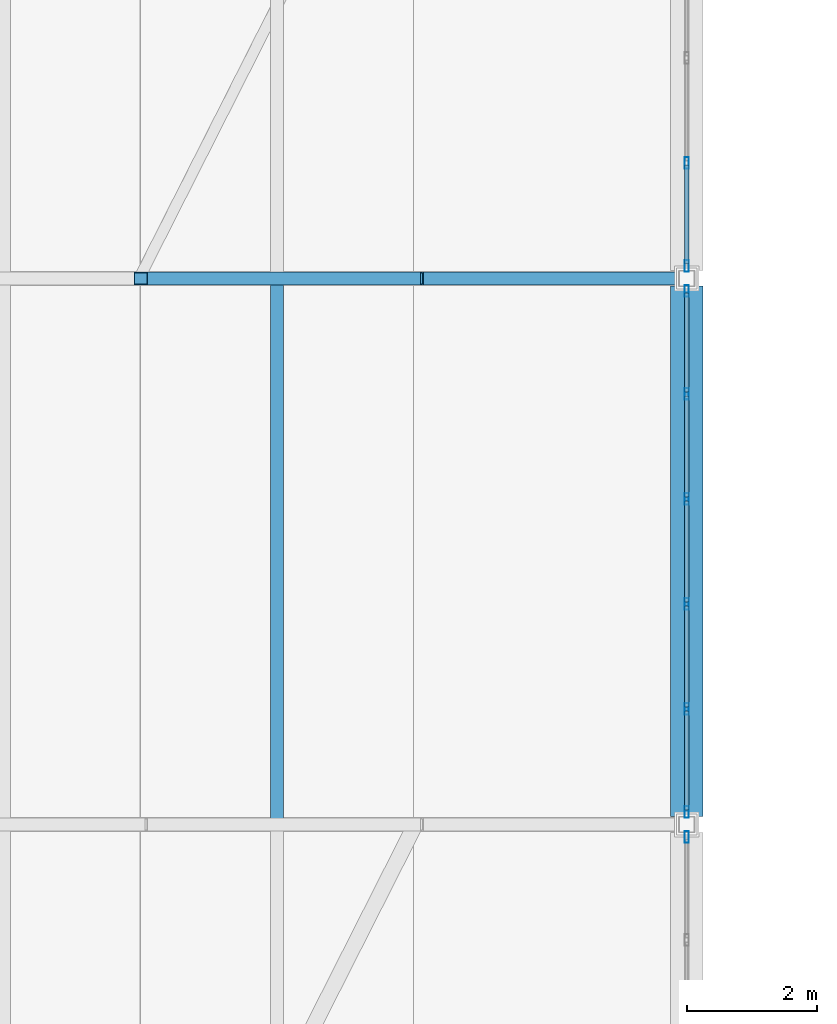
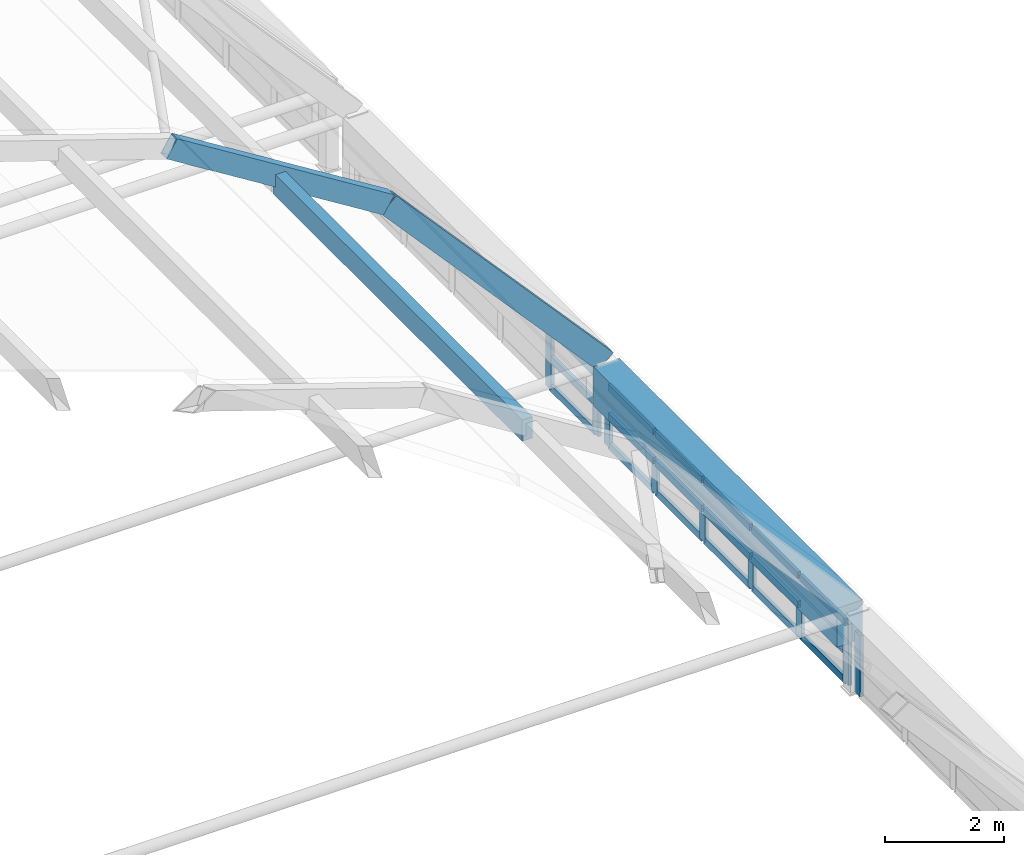
# One storey, part 35 of 114: 28 members, 3 beams, 3 elements without a shape of their own.
"""IFC4 building model written with IfcOpenShell, lengths in metres."""

from ifc_helpers import new_model, si_unit, direction, frame, origin, origin_2d, place, context, subcontext, project, spatial, rectangle, hollow_rectangle, extrude, material, layer, layer_set, material_profile, profile_set, type_object, element, aggregate, save


model = new_model("IFC4")

# Units and contexts
model_context = context("Model", 3, precision=1e-05, world=origin(), true_north=direction((0.0, 1.0)))
body_context = subcontext(model_context, "Body", "Model", "MODEL_VIEW")
ifc_project = project(units=[si_unit("LENGTHUNIT", "METRE"), si_unit("AREAUNIT", "SQUARE_METRE"), si_unit("VOLUMEUNIT", "CUBIC_METRE"), si_unit("PLANEANGLEUNIT", "RADIAN"), si_unit("MASSUNIT", "GRAM", prefix="KILO")], contexts=[model_context])

# Site, building, storey
site_placement = place(None, origin())
site = spatial("IfcSite", under=ifc_project, at=site_placement, CompositionType="ELEMENT")
building_placement = place(site_placement, origin())
building = spatial("IfcBuilding", under=site, at=building_placement, Name="Xazarin Passage Department Store", CompositionType="ELEMENT")
storey_placement = place(building_placement, frame((0.0, 0.0, 14.39990234375)))
storey = spatial("IfcBuildingStorey", under=building, at=storey_placement, Name="L03", CompositionType="ELEMENT", Elevation=14.39990234375)

# Curtain wall, member
ifc_material_1 = material(Name="Bronze anodised aluminium", Category="aluminium")
ifc_layer = layer(ifc_material_1, 0.159912109375)
ifc_layer_set = layer_set([ifc_layer], Name="Bronze anodised aluminium")
curtain_wall_type = type_object("IfcCurtainWallType", Name="ARC-CW-ARC1", PredefinedType="NOTDEFINED", material=ifc_layer_set)
curtain_wall_1_placement = place(storey_placement, origin())
curtain_wall_1 = element("IfcCurtainWall", 1, at=curtain_wall_1_placement, inside=storey, type_object=curtain_wall_type, Name="L03 V2S Galleria Clerestory Curtain Wall 4E", PredefinedType="NOTDEFINED")
ifc_material_profile_1 = material_profile(ifc_material_1, hollow_rectangle(XDim=0.06494140625, YDim=0.179931640625, WallThickness=0.00390625, at=origin_2d()), Name="ALU 65x180")
ifc_profile_set_1 = profile_set([ifc_material_profile_1], Name="Bronze anodised aluminium")
member_type_1 = type_object("IfcMemberType", Name="ARC-CWM-65x180", PredefinedType="MULLION", material=ifc_profile_set_1)
member_1_placement = place(storey_placement, frame((101.60009765625, 33.407470703125, 0.0), z_axis=(0.0, 0.0, 1.0), x_axis=(-1.0, 0.0, 0.0)))
member_1 = element("IfcMember", 2, at=member_1_placement, type_object=member_type_1, Name="CW3 mullion 6", PredefinedType="MULLION", context=body_context, shape_type="SweptSolid", body=[
    extrude(hollow_rectangle(XDim=0.06494140625, YDim=0.179931640625, WallThickness=0.00390625, at=origin_2d()), origin(), (0.0, 0.0, 1.0), 1.251708984375),
])
aggregate(curtain_wall_1, [member_1])

# Curtain wall, members
curtain_wall_2_placement = place(storey_placement, origin())
curtain_wall_2 = element("IfcCurtainWall", 3, at=curtain_wall_2_placement, inside=storey, type_object=curtain_wall_type, Name="L03 V2S Galleria Clerestory Curtain Wall 5E", PredefinedType="NOTDEFINED")
member_2_placement = place(storey_placement, frame((101.60009765625, 33.79248046875, 0.0), z_axis=(0.0, 0.0, 1.0), x_axis=(-1.0, 0.0, 0.0)))
member_2 = element("IfcMember", 4, at=member_2_placement, type_object=member_type_1, Name="CW3 mullion 1", PredefinedType="MULLION", context=body_context, shape_type="SweptSolid", body=[
    extrude(hollow_rectangle(XDim=0.06494140625, YDim=0.179931640625, WallThickness=0.00390625, at=origin_2d()), origin(), (0.0, 0.0, 1.0), 1.251708984375),
])
member_3_placement = place(storey_placement, frame((101.60009765625, 35.3759765625, 0.0), z_axis=(0.0, 0.0, 1.0), x_axis=(-1.0, 0.0, 0.0)))
member_3 = element("IfcMember", 5, at=member_3_placement, type_object=member_type_1, Name="CW3 mullion 2", PredefinedType="MULLION", context=body_context, shape_type="SweptSolid", body=[
    extrude(hollow_rectangle(XDim=0.06494140625, YDim=0.179931640625, WallThickness=0.00390625, at=origin_2d()), origin(), (0.0, 0.0, 1.0), 1.251708984375),
])
member_4_placement = place(storey_placement, frame((101.60009765625, 36.991943359375, 0.0), z_axis=(0.0, 0.0, 1.0), x_axis=(-1.0, 0.0, 0.0)))
member_4 = element("IfcMember", 6, at=member_4_placement, type_object=member_type_1, Name="CW3 mullion 3", PredefinedType="MULLION", context=body_context, shape_type="SweptSolid", body=[
    extrude(hollow_rectangle(XDim=0.06494140625, YDim=0.179931640625, WallThickness=0.00390625, at=origin_2d()), origin(), (0.0, 0.0, 1.0), 1.251708984375),
])
member_5_placement = place(storey_placement, frame((101.60009765625, 38.60791015625, 0.0), z_axis=(0.0, 0.0, 1.0), x_axis=(-1.0, 0.0, 0.0)))
member_5 = element("IfcMember", 7, at=member_5_placement, type_object=member_type_1, Name="CW3 mullion 4", PredefinedType="MULLION", context=body_context, shape_type="SweptSolid", body=[
    extrude(hollow_rectangle(XDim=0.06494140625, YDim=0.179931640625, WallThickness=0.00390625, at=origin_2d()), origin(), (0.0, 0.0, 1.0), 1.251708984375),
])
member_6_placement = place(storey_placement, frame((101.60009765625, 40.22412109375, 0.0), z_axis=(0.0, 0.0, 1.0), x_axis=(-1.0, 0.0, 0.0)))
member_6 = element("IfcMember", 8, at=member_6_placement, type_object=member_type_1, Name="CW3 mullion 5", PredefinedType="MULLION", context=body_context, shape_type="SweptSolid", body=[
    extrude(hollow_rectangle(XDim=0.06494140625, YDim=0.179931640625, WallThickness=0.00390625, at=origin_2d()), origin(), (0.0, 0.0, 1.0), 1.251708984375),
])
member_7_placement = place(storey_placement, frame((101.60009765625, 41.8076171875, 0.0), z_axis=(0.0, 0.0, 1.0), x_axis=(-1.0, 0.0, 0.0)))
member_7 = element("IfcMember", 9, at=member_7_placement, type_object=member_type_1, Name="CW3 mullion 6", PredefinedType="MULLION", context=body_context, shape_type="SweptSolid", body=[
    extrude(hollow_rectangle(XDim=0.06494140625, YDim=0.179931640625, WallThickness=0.00390625, at=origin_2d()), origin(), (0.0, 0.0, 1.0), 1.251708984375),
])

curtain_wall_3_placement = place(storey_placement, origin())
curtain_wall_3 = element("IfcCurtainWall", 10, at=curtain_wall_3_placement, inside=storey, type_object=curtain_wall_type, Name="L03 V2S Galleria Clerestory Curtain Wall 6E", PredefinedType="NOTDEFINED")
member_8_placement = place(storey_placement, frame((101.60009765625, 42.1923828125, 0.0), z_axis=(0.0, 0.0, 1.0), x_axis=(-1.0, 0.0, 0.0)))
member_8 = element("IfcMember", 11, at=member_8_placement, type_object=member_type_1, Name="CW3 mullion 1", PredefinedType="MULLION", context=body_context, shape_type="SweptSolid", body=[
    extrude(hollow_rectangle(XDim=0.06494140625, YDim=0.179931640625, WallThickness=0.00390625, at=origin_2d()), origin(), (0.0, 0.0, 1.0), 1.251708984375),
])
member_9_placement = place(storey_placement, frame((101.60009765625, 43.77587890625, 0.0), z_axis=(0.0, 0.0, 1.0), x_axis=(-1.0, 0.0, 0.0)))
member_9 = element("IfcMember", 12, at=member_9_placement, type_object=member_type_1, Name="CW3 mullion 2", PredefinedType="MULLION", context=body_context, shape_type="SweptSolid", body=[
    extrude(hollow_rectangle(XDim=0.06494140625, YDim=0.179931640625, WallThickness=0.00390625, at=origin_2d()), origin(), (0.0, 0.0, 1.0), 1.251708984375),
])

# Member
ifc_material_profile_2 = material_profile(ifc_material_1, hollow_rectangle(XDim=0.06494140625, YDim=0.139892578125, WallThickness=0.00390625, at=origin_2d()), Name="ALU 65x140")
ifc_profile_set_2 = profile_set([ifc_material_profile_2], Name="Bronze anodised aluminium")
member_type_2 = type_object("IfcMemberType", Name="ARC-CWT-65x140", PredefinedType="USERDEFINED", material=ifc_profile_set_2)
member_10_placement = place(storey_placement, frame((101.60009765625, 33.824951171875, 0.03271484375), z_axis=(0.0, 1.0, 0.0), x_axis=(-1.0, 0.0, 0.0)))
member_10 = element("IfcMember", 13, at=member_10_placement, type_object=member_type_2, Name="CW3 transom 1.1", ObjectType="TRANSOM", PredefinedType="USERDEFINED", context=body_context, shape_type="SweptSolid", body=[
    extrude(hollow_rectangle(XDim=0.06494140625, YDim=0.139892578125, WallThickness=0.00390625, at=origin_2d()), origin(), (0.0, 0.0, 1.0), 1.5185546875),
])

member_11_placement = place(storey_placement, frame((101.60009765625, 33.824951171875, 0.6259765625), z_axis=(0.0, 1.0, 0.0), x_axis=(-1.0, 0.0, 0.0)))
member_11 = element("IfcMember", 14, at=member_11_placement, type_object=member_type_2, Name="CW3 transom 1.2", ObjectType="TRANSOM", PredefinedType="USERDEFINED", context=body_context, shape_type="SweptSolid", body=[
    extrude(hollow_rectangle(XDim=0.06494140625, YDim=0.139892578125, WallThickness=0.00390625, at=origin_2d()), origin(), (0.0, 0.0, 1.0), 1.5185546875),
])

member_12_placement = place(storey_placement, frame((101.60009765625, 33.824951171875, 1.21923828125), z_axis=(0.0, 1.0, 0.0), x_axis=(-1.0, 0.0, 0.0)))
member_12 = element("IfcMember", 15, at=member_12_placement, type_object=member_type_2, Name="CW3 transom 1.3", ObjectType="TRANSOM", PredefinedType="USERDEFINED", context=body_context, shape_type="SweptSolid", body=[
    extrude(hollow_rectangle(XDim=0.06494140625, YDim=0.139892578125, WallThickness=0.00390625, at=origin_2d()), origin(), (0.0, 0.0, 1.0), 1.5185546875),
])

member_13_placement = place(storey_placement, frame((101.60009765625, 35.408447265625, 0.03271484375), z_axis=(0.0, 1.0, 0.0), x_axis=(-1.0, 0.0, 0.0)))
member_13 = element("IfcMember", 16, at=member_13_placement, type_object=member_type_2, Name="CW3 transom 2.1", ObjectType="TRANSOM", PredefinedType="USERDEFINED", context=body_context, shape_type="SweptSolid", body=[
    extrude(hollow_rectangle(XDim=0.06494140625, YDim=0.139892578125, WallThickness=0.00390625, at=origin_2d()), origin(), (0.0, 0.0, 1.0), 1.551025390625),
])

member_14_placement = place(storey_placement, frame((101.60009765625, 35.408447265625, 0.6259765625), z_axis=(0.0, 1.0, 0.0), x_axis=(-1.0, 0.0, 0.0)))
member_14 = element("IfcMember", 17, at=member_14_placement, type_object=member_type_2, Name="CW3 transom 2.2", ObjectType="TRANSOM", PredefinedType="USERDEFINED", context=body_context, shape_type="SweptSolid", body=[
    extrude(hollow_rectangle(XDim=0.06494140625, YDim=0.139892578125, WallThickness=0.00390625, at=origin_2d()), origin(), (0.0, 0.0, 1.0), 1.551025390625),
])

member_15_placement = place(storey_placement, frame((101.60009765625, 35.408447265625, 1.21923828125), z_axis=(0.0, 1.0, 0.0), x_axis=(-1.0, 0.0, 0.0)))
member_15 = element("IfcMember", 18, at=member_15_placement, type_object=member_type_2, Name="CW3 transom 2.3", ObjectType="TRANSOM", PredefinedType="USERDEFINED", context=body_context, shape_type="SweptSolid", body=[
    extrude(hollow_rectangle(XDim=0.06494140625, YDim=0.139892578125, WallThickness=0.00390625, at=origin_2d()), origin(), (0.0, 0.0, 1.0), 1.551025390625),
])

member_16_placement = place(storey_placement, frame((101.60009765625, 37.0244140625, 0.03271484375), z_axis=(0.0, 1.0, 0.0), x_axis=(-1.0, 0.0, 0.0)))
member_16 = element("IfcMember", 19, at=member_16_placement, type_object=member_type_2, Name="CW3 transom 3.1", ObjectType="TRANSOM", PredefinedType="USERDEFINED", context=body_context, shape_type="SweptSolid", body=[
    extrude(hollow_rectangle(XDim=0.06494140625, YDim=0.139892578125, WallThickness=0.00390625, at=origin_2d()), origin(), (0.0, 0.0, 1.0), 1.551025390625),
])

member_17_placement = place(storey_placement, frame((101.60009765625, 37.0244140625, 0.6259765625), z_axis=(0.0, 1.0, 0.0), x_axis=(-1.0, 0.0, 0.0)))
member_17 = element("IfcMember", 20, at=member_17_placement, type_object=member_type_2, Name="CW3 transom 3.2", ObjectType="TRANSOM", PredefinedType="USERDEFINED", context=body_context, shape_type="SweptSolid", body=[
    extrude(hollow_rectangle(XDim=0.06494140625, YDim=0.139892578125, WallThickness=0.00390625, at=origin_2d()), origin(), (0.0, 0.0, 1.0), 1.551025390625),
])

member_18_placement = place(storey_placement, frame((101.60009765625, 37.0244140625, 1.21923828125), z_axis=(0.0, 1.0, 0.0), x_axis=(-1.0, 0.0, 0.0)))
member_18 = element("IfcMember", 21, at=member_18_placement, type_object=member_type_2, Name="CW3 transom 3.3", ObjectType="TRANSOM", PredefinedType="USERDEFINED", context=body_context, shape_type="SweptSolid", body=[
    extrude(hollow_rectangle(XDim=0.06494140625, YDim=0.139892578125, WallThickness=0.00390625, at=origin_2d()), origin(), (0.0, 0.0, 1.0), 1.551025390625),
])

member_19_placement = place(storey_placement, frame((101.60009765625, 38.640380859375, 0.03271484375), z_axis=(0.0, 1.0, 0.0), x_axis=(-1.0, 0.0, 0.0)))
member_19 = element("IfcMember", 22, at=member_19_placement, type_object=member_type_2, Name="CW3 transom 4.1", ObjectType="TRANSOM", PredefinedType="USERDEFINED", context=body_context, shape_type="SweptSolid", body=[
    extrude(hollow_rectangle(XDim=0.06494140625, YDim=0.139892578125, WallThickness=0.00390625, at=origin_2d()), origin(), (0.0, 0.0, 1.0), 1.551025390625),
])

member_20_placement = place(storey_placement, frame((101.60009765625, 38.640380859375, 0.6259765625), z_axis=(0.0, 1.0, 0.0), x_axis=(-1.0, 0.0, 0.0)))
member_20 = element("IfcMember", 23, at=member_20_placement, type_object=member_type_2, Name="CW3 transom 4.2", ObjectType="TRANSOM", PredefinedType="USERDEFINED", context=body_context, shape_type="SweptSolid", body=[
    extrude(hollow_rectangle(XDim=0.06494140625, YDim=0.139892578125, WallThickness=0.00390625, at=origin_2d()), origin(), (0.0, 0.0, 1.0), 1.551025390625),
])

member_21_placement = place(storey_placement, frame((101.60009765625, 38.640380859375, 1.21923828125), z_axis=(0.0, 1.0, 0.0), x_axis=(-1.0, 0.0, 0.0)))
member_21 = element("IfcMember", 24, at=member_21_placement, type_object=member_type_2, Name="CW3 transom 4.3", ObjectType="TRANSOM", PredefinedType="USERDEFINED", context=body_context, shape_type="SweptSolid", body=[
    extrude(hollow_rectangle(XDim=0.06494140625, YDim=0.139892578125, WallThickness=0.00390625, at=origin_2d()), origin(), (0.0, 0.0, 1.0), 1.551025390625),
])

member_22_placement = place(storey_placement, frame((101.60009765625, 40.256591796875, 0.03271484375), z_axis=(0.0, 1.0, 0.0), x_axis=(-1.0, 0.0, 0.0)))
member_22 = element("IfcMember", 25, at=member_22_placement, type_object=member_type_2, Name="CW3 transom 5.1", ObjectType="TRANSOM", PredefinedType="USERDEFINED", context=body_context, shape_type="SweptSolid", body=[
    extrude(hollow_rectangle(XDim=0.06494140625, YDim=0.139892578125, WallThickness=0.00390625, at=origin_2d()), origin(), (0.0, 0.0, 1.0), 1.518310546875),
])

member_23_placement = place(storey_placement, frame((101.60009765625, 40.256591796875, 0.6259765625), z_axis=(0.0, 1.0, 0.0), x_axis=(-1.0, 0.0, 0.0)))
member_23 = element("IfcMember", 26, at=member_23_placement, type_object=member_type_2, Name="CW3 transom 5.2", ObjectType="TRANSOM", PredefinedType="USERDEFINED", context=body_context, shape_type="SweptSolid", body=[
    extrude(hollow_rectangle(XDim=0.06494140625, YDim=0.139892578125, WallThickness=0.00390625, at=origin_2d()), origin(), (0.0, 0.0, 1.0), 1.518310546875),
])

member_24_placement = place(storey_placement, frame((101.60009765625, 40.256591796875, 1.21923828125), z_axis=(0.0, 1.0, 0.0), x_axis=(-1.0, 0.0, 0.0)))
member_24 = element("IfcMember", 27, at=member_24_placement, type_object=member_type_2, Name="CW3 transom 5.3", ObjectType="TRANSOM", PredefinedType="USERDEFINED", context=body_context, shape_type="SweptSolid", body=[
    extrude(hollow_rectangle(XDim=0.06494140625, YDim=0.139892578125, WallThickness=0.00390625, at=origin_2d()), origin(), (0.0, 0.0, 1.0), 1.518310546875),
])

aggregate(curtain_wall_2, [member_2, member_3, member_4, member_5, member_6, member_7, member_10, member_11, member_12, member_13, member_14, member_15, member_16, member_17, member_18, member_19, member_20, member_21, member_22, member_23, member_24])

member_25_placement = place(storey_placement, frame((101.60009765625, 42.22509765625, 0.03271484375), z_axis=(0.0, 1.0, 0.0), x_axis=(-1.0, 0.0, 0.0)))
member_25 = element("IfcMember", 28, at=member_25_placement, type_object=member_type_2, Name="CW3 transom 1.1", ObjectType="TRANSOM", PredefinedType="USERDEFINED", context=body_context, shape_type="SweptSolid", body=[
    extrude(hollow_rectangle(XDim=0.06494140625, YDim=0.139892578125, WallThickness=0.00390625, at=origin_2d()), origin(), (0.0, 0.0, 1.0), 1.518310546875),
])

member_26_placement = place(storey_placement, frame((101.60009765625, 42.22509765625, 0.6259765625), z_axis=(0.0, 1.0, 0.0), x_axis=(-1.0, 0.0, 0.0)))
member_26 = element("IfcMember", 29, at=member_26_placement, type_object=member_type_2, Name="CW3 transom 1.2", ObjectType="TRANSOM", PredefinedType="USERDEFINED", context=body_context, shape_type="SweptSolid", body=[
    extrude(hollow_rectangle(XDim=0.06494140625, YDim=0.139892578125, WallThickness=0.00390625, at=origin_2d()), origin(), (0.0, 0.0, 1.0), 1.518310546875),
])

member_27_placement = place(storey_placement, frame((101.60009765625, 42.22509765625, 1.21923828125), z_axis=(0.0, 1.0, 0.0), x_axis=(-1.0, 0.0, 0.0)))
member_27 = element("IfcMember", 30, at=member_27_placement, type_object=member_type_2, Name="CW3 transom 1.3", ObjectType="TRANSOM", PredefinedType="USERDEFINED", context=body_context, shape_type="SweptSolid", body=[
    extrude(hollow_rectangle(XDim=0.06494140625, YDim=0.139892578125, WallThickness=0.00390625, at=origin_2d()), origin(), (0.0, 0.0, 1.0), 1.518310546875),
])

aggregate(curtain_wall_3, [member_8, member_9, member_25, member_26, member_27])

# Beams
ifc_material_2 = material(Name="Steel S355", Category="steel")
ifc_material_profile_3 = material_profile(ifc_material_2, hollow_rectangle(XDim=0.199951171875, YDim=0.39990234375, WallThickness=0.01611328125, at=origin_2d()), Name="RHS 400x200x16")
ifc_profile_set_3 = profile_set([ifc_material_profile_3], Name="Steel S355")
beam_type_1 = type_object("IfcBeamType", Name="STR-BM-AR400", PredefinedType="BEAM", material=ifc_profile_set_3)
beam_1_placement = place(storey_placement, frame((93.199951171875, 42.0, 8.95068359375), z_axis=(0.848571440894, 0.0, -0.529080815848), x_axis=(0.0, 1.0, 0.0)))
element("IfcBeam", 31, at=beam_1_placement, inside=storey, type_object=beam_type_1, Name="V2S Primary Arch Rib 6.7", PredefinedType="BEAM", context=body_context, shape_type="SweptSolid", body=[
    extrude(hollow_rectangle(XDim=0.199951171875, YDim=0.39990234375, WallThickness=0.01611328125, at=origin_2d()), origin(), (0.0, 0.0, 1.0), 4.949462890625),
])
beam_2_placement = place(storey_placement, frame((97.39990234375, 42.0, 6.33203125), z_axis=(0.667913050078, 0.0, -0.744239314694), x_axis=(0.0, 1.0, 0.0)))
element("IfcBeam", 32, at=beam_2_placement, inside=storey, type_object=beam_type_1, Name="V2S Primary Arch Rib 6.8", PredefinedType="BEAM", context=body_context, shape_type="SweptSolid", body=[
    extrude(hollow_rectangle(XDim=0.199951171875, YDim=0.39990234375, WallThickness=0.01611328125, at=origin_2d()), origin(), (0.0, 0.0, 1.0), 6.28857421875),
])
ifc_material_3 = material(Name="Concrete C40/50", Category="concrete")
ifc_material_profile_4 = material_profile(ifc_material_3, rectangle(XDim=0.5, YDim=0.800048828125, at=origin_2d()), Name="RC 500x800")
ifc_profile_set_4 = profile_set([ifc_material_profile_4], Name="Concrete C40/50")
beam_type_2 = type_object("IfcBeamType", Name="STR-BM-RG500x800", PredefinedType="BEAM", material=ifc_profile_set_4)
beam_3_placement = place(storey_placement, frame((101.60009765625, 33.719970703125, 1.251708984375), z_axis=(0.0, 1.0, 0.0), x_axis=(-1.0, 0.0, 0.0)))
element("IfcBeam", 33, at=beam_3_placement, inside=storey, type_object=beam_type_2, Name="V2S Springing Ring Girder E-5", PredefinedType="BEAM", context=body_context, shape_type="SweptSolid", body=[
    extrude(rectangle(XDim=0.5, YDim=0.800048828125, at=origin_2d()), origin(), (0.0, 0.0, 1.0), 8.159912109375),
])

# Member
ifc_material_4 = material(Name="Glulam GL28h", Category="wood")
ifc_material_profile_5 = material_profile(ifc_material_4, rectangle(XDim=0.199951171875, YDim=0.43994140625, at=origin_2d()), Name="GL28h 200x440")
ifc_profile_set_5 = profile_set([ifc_material_profile_5], Name="Glulam GL28h")
member_type_3 = type_object("IfcMemberType", Name="STR-MEM-GL440", PredefinedType="PURLIN", material=ifc_profile_set_5)
member_28_placement = place(storey_placement, frame((95.300048828125, 33.6201171875, 7.501220703125), z_axis=(0.0, 1.0, 0.0), x_axis=(-1.0, 0.0, 0.0)))
element("IfcMember", 34, at=member_28_placement, inside=storey, type_object=member_type_3, Name="V2S Glulam Gridshell Purlin 5.7", PredefinedType="PURLIN", context=body_context, shape_type="SweptSolid", body=[
    extrude(rectangle(XDim=0.199951171875, YDim=0.43994140625, at=origin_2d()), origin(), (0.0, 0.0, 1.0), 8.35986328125),
])

save(model, "model.ifc")
